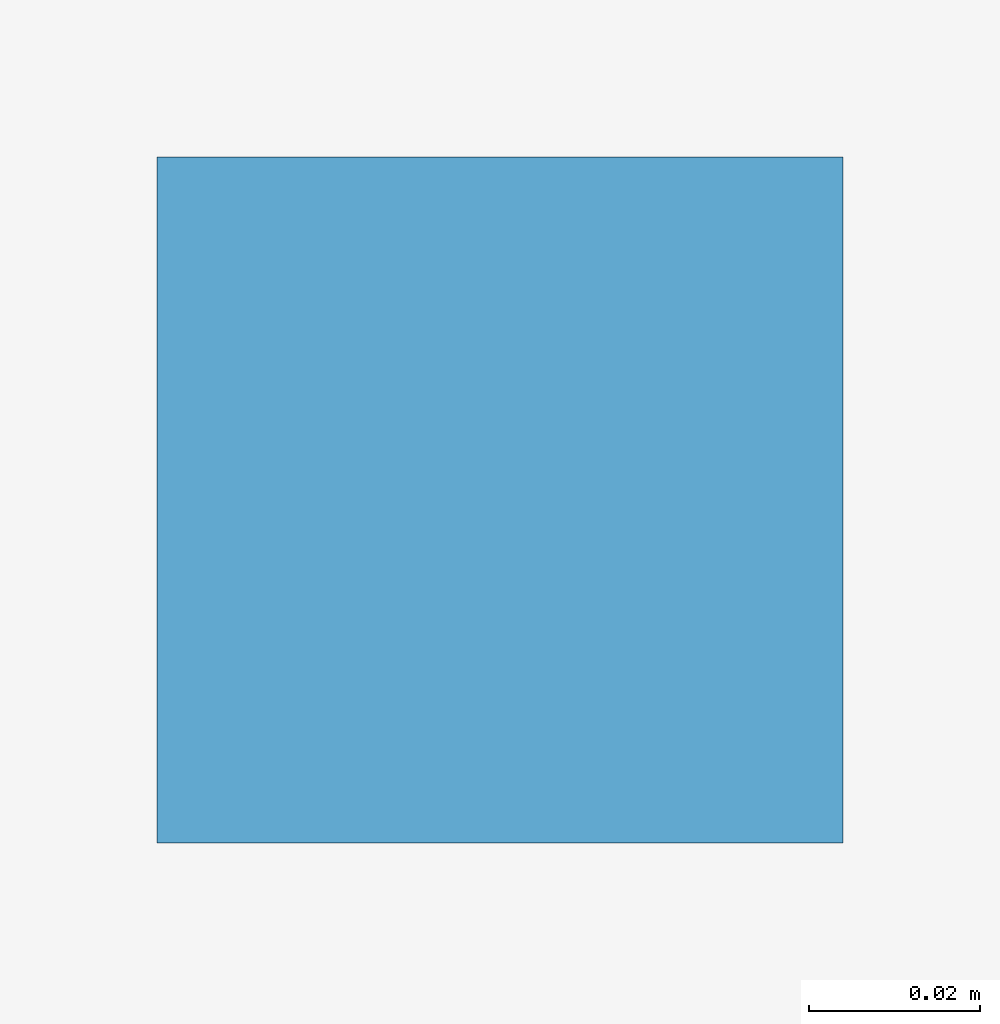
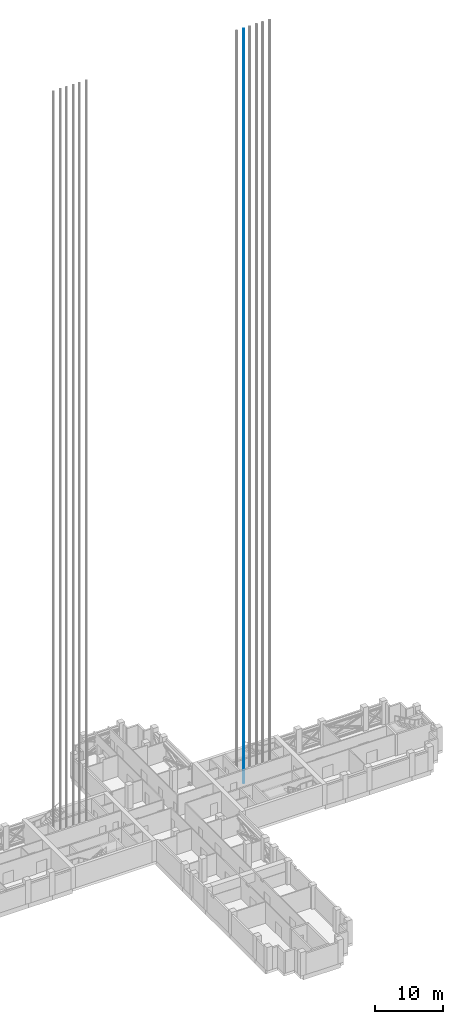
# One storey, part 17 of 22: 1 discrete accessory.
"""IFC4 building model written with IfcOpenShell, lengths in metres."""

from ifc_helpers import new_model, si_unit, direction, frame, origin, origin_2d, place, context, subcontext, project, spatial, rectangle, extrude, material, element, save


model = new_model("IFC4")

# Units and contexts
model_context = context("Model", 3, precision=1e-05, world=origin(), true_north=direction((0.0, 1.0)))
body_context = subcontext(model_context, "Body", "Model", "MODEL_VIEW")
ifc_project = project(units=[si_unit("LENGTHUNIT", "METRE"), si_unit("AREAUNIT", "SQUARE_METRE"), si_unit("VOLUMEUNIT", "CUBIC_METRE"), si_unit("PLANEANGLEUNIT", "RADIAN"), si_unit("MASSUNIT", "GRAM", prefix="KILO")], contexts=[model_context])

# Site, building, storey
site_placement = place(None, origin())
site = spatial("IfcSite", under=ifc_project, at=site_placement, CompositionType="ELEMENT")
building_placement = place(site_placement, origin())
building = spatial("IfcBuilding", under=site, at=building_placement, Name="Fustian Cross Tower", CompositionType="ELEMENT")
storey_placement = place(building_placement, frame((0.0, 0.0, 111.89990234375)))
storey = spatial("IfcBuildingStorey", under=building, at=storey_placement, Name="L35", CompositionType="ELEMENT", Elevation=111.89990234375)

# Discrete accessory
ifc_material = material(Name="Steel S355", Category="steel")
discrete_accessory_placement = place(storey_placement, frame((13.875, 3.7099609375, 0.0), z_axis=(0.0, 0.0, 1.0), x_axis=(1.0, 0.0, 0.0)))
element("IfcDiscreteAccessory", 1, at=discrete_accessory_placement, inside=storey, material=ifc_material, Name="Lift guide rail HR1 2", PredefinedType="NOTDEFINED", context=body_context, shape_type="SweptSolid", body=[
    extrude(rectangle(XDim=0.080078125, YDim=0.080078125, at=origin_2d()), origin(), (0.0, 0.0, 1.0), 134.60009765625),
])

save(model, "model.ifc")
